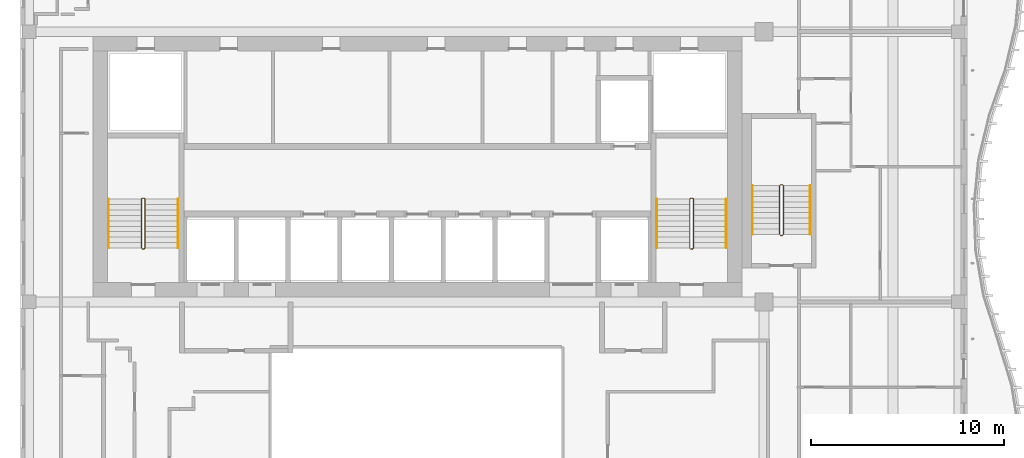
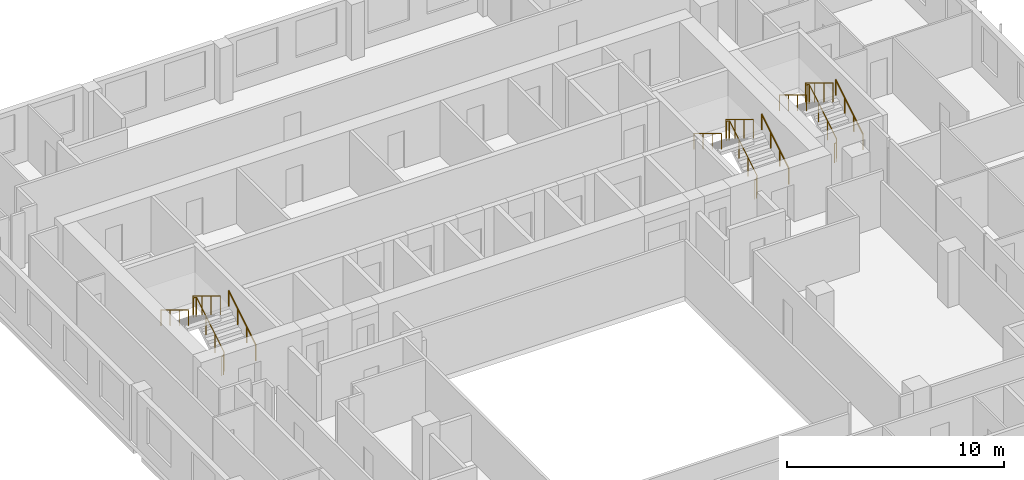
# One storey, part 18 of 19: 9 railings.
"""IFC4 building model written with IfcOpenShell, lengths in metres."""

import ifcopenshell
import ifcopenshell.guid

model = None  # the IFC model being written
_history = None  # IfcOwnerHistory: only IFC2X3 demands one
_inside = {}  # id of a spatial element -> (the spatial element, [elements in it])
_under = {}  # id of a project, library or spatial element -> (it, [spatial elements below it])
_declared = {}  # id of a project -> (the project, [libraries it declares])
_typed = {}  # id of a type object -> (the type object, [elements of that type])
_made_of = {}  # id of a material, layer set ... -> (it, [elements and type objects made of it])


def new_model(schema):
    """Start an empty IFC model of exactly this schema.

    Asked for "IFC4X3", IfcOpenShell would pick the latest addendum, in which some entities
    have other attributes; the version numbers below select the first issue.
    IFC2X3 requires an IfcOwnerHistory on every rooted entity: one is made here for all.
    """
    global model, _history
    if schema == "IFC4X3":
        model = ifcopenshell.file(schema_version=(4, 3, 0, 0))
    else:
        model = ifcopenshell.file(schema=schema)
    _inside.clear()
    _under.clear()
    _declared.clear()
    _typed.clear()
    _made_of.clear()
    _history = None
    if model.schema == "IFC2X3":
        org = make("IfcOrganization", Name="unknown")
        user = make(
            "IfcPersonAndOrganization",
            ThePerson=make("IfcPerson", FamilyName="unknown"),
            TheOrganization=org,
        )
        app = make(
            "IfcApplication",
            ApplicationDeveloper=org,
            Version="unknown",
            ApplicationFullName="unknown",
            ApplicationIdentifier="unknown",
        )
        _history = make(
            "IfcOwnerHistory",
            OwningUser=user,
            OwningApplication=app,
            ChangeAction="ADDED",
            CreationDate=0,
        )
    return model


def make(cls, **values):
    """One entity of the class cls with the attributes given. An attribute that is None is left unset."""
    return model.create_entity(
        cls, **{name: value for name, value in values.items() if value is not None}
    )


def rooted(cls, **values):
    """An entity with a GlobalId (a new one), such as an element, a storey or a relation."""
    return make(cls, GlobalId=ifcopenshell.guid.new(), OwnerHistory=_history, **values)


def si_unit(unit_type, name, prefix=None):
    """IfcSIUnit, for example si_unit("LENGTHUNIT", "METRE", prefix="MILLI")."""
    return make("IfcSIUnit", UnitType=unit_type, Prefix=prefix, Name=name)


def assignment(units):
    """IfcUnitAssignment: the units of a project."""
    return None if units is None else make("IfcUnitAssignment", Units=units)


def point(xyz):
    """IfcCartesianPoint."""
    return None if xyz is None else make("IfcCartesianPoint", Coordinates=xyz)


def direction(xyz):
    """IfcDirection."""
    return None if xyz is None else make("IfcDirection", DirectionRatios=xyz)


def frame(location, z_axis=None, x_axis=None):
    """IfcAxis2Placement3D, a coordinate frame: its origin and axes. An axis left out is left unset."""
    return make(
        "IfcAxis2Placement3D",
        Location=point(location),
        Axis=direction(z_axis),
        RefDirection=direction(x_axis),
    )


def frame_2d(location, x_axis=None):
    """IfcAxis2Placement2D, a coordinate frame in the plane: its origin and x axis."""
    return make(
        "IfcAxis2Placement2D", Location=point(location), RefDirection=direction(x_axis)
    )


def origin():
    """The frame at (0, 0, 0) with its axes left unset."""
    return frame((0.0, 0.0, 0.0))


def origin_2d():
    """The frame at (0, 0) in the plane with its x axis left unset."""
    return frame_2d((0.0, 0.0))


def place(relative_to, where):
    """IfcLocalPlacement: puts the frame where relative to a parent placement (None: the world)."""
    return make(
        "IfcLocalPlacement", PlacementRelTo=relative_to, RelativePlacement=where
    )


def context(
    kind, dimensions, precision=None, world=None, true_north=None, identifier=None
):
    """IfcGeometricRepresentationContext, for example the 3D "Model" context."""
    return make(
        "IfcGeometricRepresentationContext",
        ContextIdentifier=identifier,
        ContextType=kind,
        CoordinateSpaceDimension=dimensions,
        Precision=precision,
        WorldCoordinateSystem=world,
        TrueNorth=true_north,
    )


def subcontext(parent, identifier, kind, view, scale=None):
    """IfcGeometricRepresentationSubContext, for example "Body" below "Model"."""
    return make(
        "IfcGeometricRepresentationSubContext",
        ContextIdentifier=identifier,
        ContextType=kind,
        ParentContext=parent,
        TargetScale=scale,
        TargetView=view,
    )


def project(units=None, contexts=None):
    """IfcProject with its units and contexts."""
    return rooted(
        "IfcProject",
        Name="project",
        RepresentationContexts=contexts,
        UnitsInContext=assignment(units),
    )


def spatial(cls, under=None, at=None, **own):
    """A site, building, storey or space (cls), placed at a placement, below another one or the project."""
    s = rooted(cls, ObjectPlacement=at, **own)
    if under is not None:
        _under.setdefault(under.id(), (under, []))[1].append(s)
    return s


def profile(cls, at=None, kind="AREA", **sizes):
    """A parametric profile (cls). Its sizes go by their IFC names, for example OverallWidth=200.0."""
    return make(cls, ProfileType=kind, Position=at, **sizes)


def circle(**sizes):
    """IfcCircleProfileDef."""
    return profile("IfcCircleProfileDef", **sizes)


def extrude(swept, where, along, depth):
    """IfcExtrudedAreaSolid: the profile swept, set in the frame where, extruded along a direction by depth."""
    return make(
        "IfcExtrudedAreaSolid",
        SweptArea=swept,
        Position=where,
        ExtrudedDirection=direction(along),
        Depth=depth,
    )


def shape(context_of_items, identifier, shape_type, items):
    """IfcShapeRepresentation: the items that make up one representation, for example the "Body"."""
    return make(
        "IfcShapeRepresentation",
        ContextOfItems=context_of_items,
        RepresentationIdentifier=identifier,
        RepresentationType=shape_type,
        Items=items,
    )


def material(Name=None, Category=None):
    """IfcMaterial."""
    return make("IfcMaterial", Name=Name, Category=Category)


def made_of(thing, what):
    """Note that an element or type object is made of a material, layer set ...; save() writes the relation."""
    if what is not None:
        _made_of.setdefault(what.id(), (what, []))[1].append(thing)
    return thing


def type_object(cls, material=None, **own):
    """A type object (cls), such as IfcWallType, which elements share."""
    return made_of(rooted(cls, **own), material)


def element(
    cls,
    number,
    at=None,
    inside=None,
    cuts=None,
    type_object=None,
    material=None,
    context=None,
    identifier="Body",
    shape_type=None,
    held_by="IfcProductDefinitionShape",
    body=None,
    shapes=None,
    **own,
):
    """One element of the class cls, such as IfcWall. Its Tag is "e" and its number.

    at: its placement. inside: the storey or other place that contains it. cuts: it is an
    opening in that element (IfcRelVoidsElement). A single representation is given by context,
    identifier, shape_type and body (its items); several are given by shapes. held_by: the class
    of the entity that holds the representations. save() writes the other relations.
    """
    e = rooted(cls, Tag="e%d" % number, ObjectPlacement=at, **own)
    if body is not None:
        shapes = [shape(context, identifier, shape_type, body)]
    if shapes is not None:
        e.Representation = make(held_by, Representations=shapes)
    if inside is not None:
        _inside.setdefault(inside.id(), (inside, []))[1].append(e)
    if cuts is not None:
        rooted(
            "IfcRelVoidsElement", RelatingBuildingElement=cuts, RelatedOpeningElement=e
        )
    if type_object is not None:
        _typed.setdefault(type_object.id(), (type_object, []))[1].append(e)
    return made_of(e, material)


def aggregate(whole, parts):
    """IfcRelAggregates: a whole, such as a stair, and the parts it consists of."""
    return rooted("IfcRelAggregates", RelatingObject=whole, RelatedObjects=parts)


def save(model, path):
    """Write the relations noted so far, then the file.

    IfcRelAggregates (storeys below a building ...), IfcRelContainedInSpatialStructure (elements
    in a storey), IfcRelDefinesByType, IfcRelAssociatesMaterial and IfcRelDeclares: one each for
    every whole, place, type object, material and project.
    """
    for whole, parts in _under.values():
        aggregate(whole, parts)
    for where, things in _inside.values():
        rooted(
            "IfcRelContainedInSpatialStructure",
            RelatedElements=things,
            RelatingStructure=where,
        )
    for kind, things in _typed.values():
        rooted("IfcRelDefinesByType", RelatedObjects=things, RelatingType=kind)
    for what, things in _made_of.values():
        rooted("IfcRelAssociatesMaterial", RelatedObjects=things, RelatingMaterial=what)
    for by, libraries in _declared.values():
        rooted("IfcRelDeclares", RelatingContext=by, RelatedDefinitions=libraries)
    model.write(path)


model = new_model("IFC4")

# Units and contexts
model_context = context("Model", 3, precision=1e-05, world=origin(), true_north=direction((0.0, 1.0)))
body_context = subcontext(model_context, "Body", "Model", "MODEL_VIEW")
ifc_project = project(units=[si_unit("LENGTHUNIT", "METRE"), si_unit("AREAUNIT", "SQUARE_METRE"), si_unit("VOLUMEUNIT", "CUBIC_METRE"), si_unit("PLANEANGLEUNIT", "RADIAN"), si_unit("MASSUNIT", "GRAM", prefix="KILO")], contexts=[model_context])

# Site, building, storey
site_placement = place(None, origin())
site = spatial("IfcSite", under=ifc_project, at=site_placement, CompositionType="ELEMENT")
building_placement = place(site_placement, origin())
building = spatial("IfcBuilding", under=site, at=building_placement, Name="Kilnfold Tower and Market Hall", CompositionType="ELEMENT")
storey_placement = place(building_placement, frame((0.0, 0.0, 242.39990234375)))
storey = spatial("IfcBuildingStorey", under=building, at=storey_placement, Name="L58", CompositionType="ELEMENT", Elevation=242.39990234375)

# Railings
ifc_material_1 = material(Name="Stainless steel 316", Category="steel")
railing_type_1 = type_object("IfcRailingType", Name="CORE STAIR GUARD 1100", PredefinedType="GUARDRAIL", material=ifc_material_1)
railing_1_placement = place(storey_placement, frame((-13.199951171875, 10.75, 0.0)))
element("IfcRailing", 1, at=railing_1_placement, inside=storey, type_object=railing_type_1, Name="L58 ST1 stair guard 1", PredefinedType="GUARDRAIL", context=body_context, shape_type="SweptSolid", body=[
    extrude(circle(Radius=0.02392578125, at=origin_2d()), frame((0.0, 0.0, 1.076171875), z_axis=(1.0, 0.0, 0.0), x_axis=(0.0, 1.0, 0.0)), (0.0, 0.0, 1.0), 0.099853515625),
    extrude(circle(Radius=0.02392578125, at=origin_2d()), frame((0.099853515625, 0.0, 1.076171875), z_axis=(0.271562723297, 0.271562723297, 0.923313259209), x_axis=(-0.707106781187, 0.707106781187, 0.0)), (0.0, 0.0, 1.0), 0.184326171875),
    extrude(circle(Radius=0.02392578125, at=origin_2d()), frame((0.14990234375, 0.050048828125, 1.24609375), z_axis=(0.0, 0.85478489116, 0.518982456201), x_axis=(-1.0, 0.0, 0.0)), (0.0, 0.0, 1.0), 2.9482421875),
    extrude(circle(Radius=0.02392578125, at=origin_2d()), frame((0.14990234375, 2.570068359375, 2.7763671875), z_axis=(-0.707106781187, 0.707106781187, 0.0), x_axis=(-0.707106781187, -0.707106781187, 0.0)), (0.0, 0.0, 1.0), 0.07080078125),
    extrude(circle(Radius=0.02392578125, at=origin_2d()), frame((0.099853515625, 2.6201171875, 2.7763671875), z_axis=(-1.0, 0.0, 0.0), x_axis=(0.0, -1.0, 0.0)), (0.0, 0.0, 1.0), 0.099853515625),
    extrude(circle(Radius=0.02392578125, at=origin_2d()), frame((0.0, 2.6201171875, 2.7763671875), z_axis=(-0.271895245746, -0.271895245746, 0.923117517265), x_axis=(0.707106781187, -0.707106781187, 0.0)), (0.0, 0.0, 1.0), 0.18408203125),
    extrude(circle(Radius=0.02392578125, at=origin_2d()), frame((-0.050048828125, 2.570068359375, 2.9462890625), z_axis=(0.0, -0.85478489116, 0.518982456201), x_axis=(1.0, 0.0, 0.0)), (0.0, 0.0, 1.0), 2.9482421875),
    extrude(circle(Radius=0.02099609375, at=origin_2d()), origin(), (0.0, 0.0, 1.0), 1.052001953125),
    extrude(circle(Radius=0.02099609375, at=origin_2d()), frame((0.099853515625, 0.0, 0.0)), (0.0, 0.0, 1.0), 1.052001953125),
    extrude(circle(Radius=0.02099609375, at=origin_2d()), frame((0.14990234375, 0.050048828125, 0.170166015625)), (0.0, 0.0, 1.0), 1.052001953125),
    extrude(circle(Radius=0.02099609375, at=origin_2d()), frame((0.14990234375, 0.89013671875, 0.68017578125)), (0.0, 0.0, 1.0), 1.052001953125),
    extrude(circle(Radius=0.02099609375, at=origin_2d()), frame((0.14990234375, 1.72998046875, 1.190185546875)), (0.0, 0.0, 1.0), 1.052001953125),
    extrude(circle(Radius=0.02099609375, at=origin_2d()), frame((0.14990234375, 2.570068359375, 1.7001953125)), (0.0, 0.0, 1.0), 1.052001953125),
    extrude(circle(Radius=0.02099609375, at=origin_2d()), frame((0.099853515625, 2.6201171875, 1.7001953125)), (0.0, 0.0, 1.0), 1.052001953125),
    extrude(circle(Radius=0.02099609375, at=origin_2d()), frame((0.0, 2.6201171875, 1.7001953125)), (0.0, 0.0, 1.0), 1.052001953125),
    extrude(circle(Radius=0.02099609375, at=origin_2d()), frame((-0.050048828125, 2.570068359375, 1.8701171875)), (0.0, 0.0, 1.0), 1.052001953125),
    extrude(circle(Radius=0.02099609375, at=origin_2d()), frame((-0.050048828125, 1.72998046875, 2.380126953125)), (0.0, 0.0, 1.0), 1.052001953125),
    extrude(circle(Radius=0.02099609375, at=origin_2d()), frame((-0.050048828125, 0.89013671875, 2.89013671875)), (0.0, 0.0, 1.0), 1.052001953125),
    extrude(circle(Radius=0.02099609375, at=origin_2d()), frame((-0.050048828125, 0.050048828125, 3.400146484375)), (0.0, 0.0, 1.0), 1.052001953125),
])
railing_2_placement = place(storey_placement, frame((15.199951171875, 10.75, 0.0)))
element("IfcRailing", 2, at=railing_2_placement, inside=storey, type_object=railing_type_1, Name="L58 ST2 stair guard 1", PredefinedType="GUARDRAIL", context=body_context, shape_type="SweptSolid", body=[
    extrude(circle(Radius=0.02392578125, at=origin_2d()), frame((0.0, 0.0, 1.076171875), z_axis=(1.0, 0.0, 0.0), x_axis=(0.0, 1.0, 0.0)), (0.0, 0.0, 1.0), 0.10009765625),
    extrude(circle(Radius=0.02392578125, at=origin_2d()), frame((0.10009765625, 0.0, 1.076171875), z_axis=(0.271562723297, 0.271562723297, 0.923313259209), x_axis=(-0.707106781187, 0.707106781187, 0.0)), (0.0, 0.0, 1.0), 0.184326171875),
    extrude(circle(Radius=0.02392578125, at=origin_2d()), frame((0.150146484375, 0.050048828125, 1.24609375), z_axis=(0.0, 0.85478489116, 0.518982456201), x_axis=(-1.0, 0.0, 0.0)), (0.0, 0.0, 1.0), 2.9482421875),
    extrude(circle(Radius=0.02392578125, at=origin_2d()), frame((0.150146484375, 2.570068359375, 2.7763671875), z_axis=(-0.707106781187, 0.707106781187, 0.0), x_axis=(-0.707106781187, -0.707106781187, 0.0)), (0.0, 0.0, 1.0), 0.07080078125),
    extrude(circle(Radius=0.02392578125, at=origin_2d()), frame((0.10009765625, 2.6201171875, 2.7763671875), z_axis=(-1.0, 0.0, 0.0), x_axis=(0.0, -1.0, 0.0)), (0.0, 0.0, 1.0), 0.10009765625),
    extrude(circle(Radius=0.02392578125, at=origin_2d()), frame((0.0, 2.6201171875, 2.7763671875), z_axis=(-0.271895245746, -0.271895245746, 0.923117517265), x_axis=(0.707106781187, -0.707106781187, 0.0)), (0.0, 0.0, 1.0), 0.18408203125),
    extrude(circle(Radius=0.02392578125, at=origin_2d()), frame((-0.050048828125, 2.570068359375, 2.9462890625), z_axis=(0.0, -0.85478489116, 0.518982456201), x_axis=(1.0, 0.0, 0.0)), (0.0, 0.0, 1.0), 2.9482421875),
    extrude(circle(Radius=0.02099609375, at=origin_2d()), origin(), (0.0, 0.0, 1.0), 1.052001953125),
    extrude(circle(Radius=0.02099609375, at=origin_2d()), frame((0.10009765625, 0.0, 0.0)), (0.0, 0.0, 1.0), 1.052001953125),
    extrude(circle(Radius=0.02099609375, at=origin_2d()), frame((0.150146484375, 0.050048828125, 0.170166015625)), (0.0, 0.0, 1.0), 1.052001953125),
    extrude(circle(Radius=0.02099609375, at=origin_2d()), frame((0.150146484375, 0.89013671875, 0.68017578125)), (0.0, 0.0, 1.0), 1.052001953125),
    extrude(circle(Radius=0.02099609375, at=origin_2d()), frame((0.150146484375, 1.72998046875, 1.190185546875)), (0.0, 0.0, 1.0), 1.052001953125),
    extrude(circle(Radius=0.02099609375, at=origin_2d()), frame((0.150146484375, 2.570068359375, 1.7001953125)), (0.0, 0.0, 1.0), 1.052001953125),
    extrude(circle(Radius=0.02099609375, at=origin_2d()), frame((0.10009765625, 2.6201171875, 1.7001953125)), (0.0, 0.0, 1.0), 1.052001953125),
    extrude(circle(Radius=0.02099609375, at=origin_2d()), frame((0.0, 2.6201171875, 1.7001953125)), (0.0, 0.0, 1.0), 1.052001953125),
    extrude(circle(Radius=0.02099609375, at=origin_2d()), frame((-0.050048828125, 2.570068359375, 1.8701171875)), (0.0, 0.0, 1.0), 1.052001953125),
    extrude(circle(Radius=0.02099609375, at=origin_2d()), frame((-0.050048828125, 1.72998046875, 2.380126953125)), (0.0, 0.0, 1.0), 1.052001953125),
    extrude(circle(Radius=0.02099609375, at=origin_2d()), frame((-0.050048828125, 0.89013671875, 2.89013671875)), (0.0, 0.0, 1.0), 1.052001953125),
    extrude(circle(Radius=0.02099609375, at=origin_2d()), frame((-0.050048828125, 0.050048828125, 3.400146484375)), (0.0, 0.0, 1.0), 1.052001953125),
])
railing_3_placement = place(storey_placement, frame((19.85009765625, 11.449951171875, 0.0)))
element("IfcRailing", 3, at=railing_3_placement, inside=storey, type_object=railing_type_1, Name="L58 ST5 stair guard 1", PredefinedType="GUARDRAIL", context=body_context, shape_type="SweptSolid", body=[
    extrude(circle(Radius=0.02392578125, at=origin_2d()), frame((0.0, 0.0, 1.076171875), z_axis=(1.0, 0.0, 0.0), x_axis=(0.0, 1.0, 0.0)), (0.0, 0.0, 1.0), 0.099853515625),
    extrude(circle(Radius=0.02392578125, at=origin_2d()), frame((0.099853515625, 0.0, 1.076171875), z_axis=(0.271562723297, 0.271562723297, 0.923313259209), x_axis=(-0.707106781187, 0.707106781187, 0.0)), (0.0, 0.0, 1.0), 0.184326171875),
    extrude(circle(Radius=0.02392578125, at=origin_2d()), frame((0.14990234375, 0.050048828125, 1.24609375), z_axis=(0.0, 0.85478489116, 0.518982456201), x_axis=(-1.0, 0.0, 0.0)), (0.0, 0.0, 1.0), 2.9482421875),
    extrude(circle(Radius=0.02392578125, at=origin_2d()), frame((0.14990234375, 2.570068359375, 2.7763671875), z_axis=(-0.707106781187, 0.707106781187, 0.0), x_axis=(-0.707106781187, -0.707106781187, 0.0)), (0.0, 0.0, 1.0), 0.07080078125),
    extrude(circle(Radius=0.02392578125, at=origin_2d()), frame((0.099853515625, 2.6201171875, 2.7763671875), z_axis=(-1.0, 0.0, 0.0), x_axis=(0.0, -1.0, 0.0)), (0.0, 0.0, 1.0), 0.099853515625),
    extrude(circle(Radius=0.02392578125, at=origin_2d()), frame((0.0, 2.6201171875, 2.7763671875), z_axis=(-0.271895245746, -0.271895245746, 0.923117517265), x_axis=(0.707106781187, -0.707106781187, 0.0)), (0.0, 0.0, 1.0), 0.18408203125),
    extrude(circle(Radius=0.02392578125, at=origin_2d()), frame((-0.050048828125, 2.570068359375, 2.9462890625), z_axis=(0.0, -0.85478489116, 0.518982456201), x_axis=(1.0, 0.0, 0.0)), (0.0, 0.0, 1.0), 2.9482421875),
    extrude(circle(Radius=0.02099609375, at=origin_2d()), origin(), (0.0, 0.0, 1.0), 1.052001953125),
    extrude(circle(Radius=0.02099609375, at=origin_2d()), frame((0.099853515625, 0.0, 0.0)), (0.0, 0.0, 1.0), 1.052001953125),
    extrude(circle(Radius=0.02099609375, at=origin_2d()), frame((0.14990234375, 0.050048828125, 0.170166015625)), (0.0, 0.0, 1.0), 1.052001953125),
    extrude(circle(Radius=0.02099609375, at=origin_2d()), frame((0.14990234375, 0.89013671875, 0.68017578125)), (0.0, 0.0, 1.0), 1.052001953125),
    extrude(circle(Radius=0.02099609375, at=origin_2d()), frame((0.14990234375, 1.72998046875, 1.190185546875)), (0.0, 0.0, 1.0), 1.052001953125),
    extrude(circle(Radius=0.02099609375, at=origin_2d()), frame((0.14990234375, 2.570068359375, 1.7001953125)), (0.0, 0.0, 1.0), 1.052001953125),
    extrude(circle(Radius=0.02099609375, at=origin_2d()), frame((0.099853515625, 2.6201171875, 1.7001953125)), (0.0, 0.0, 1.0), 1.052001953125),
    extrude(circle(Radius=0.02099609375, at=origin_2d()), frame((0.0, 2.6201171875, 1.7001953125)), (0.0, 0.0, 1.0), 1.052001953125),
    extrude(circle(Radius=0.02099609375, at=origin_2d()), frame((-0.050048828125, 2.570068359375, 1.8701171875)), (0.0, 0.0, 1.0), 1.052001953125),
    extrude(circle(Radius=0.02099609375, at=origin_2d()), frame((-0.050048828125, 1.72998046875, 2.380126953125)), (0.0, 0.0, 1.0), 1.052001953125),
    extrude(circle(Radius=0.02099609375, at=origin_2d()), frame((-0.050048828125, 0.89013671875, 2.89013671875)), (0.0, 0.0, 1.0), 1.052001953125),
    extrude(circle(Radius=0.02099609375, at=origin_2d()), frame((-0.050048828125, 0.050048828125, 3.400146484375)), (0.0, 0.0, 1.0), 1.052001953125),
])
ifc_material_2 = material(Name="Stainless steel 316", Category="steel")
railing_type_2 = type_object("IfcRailingType", Name="CORE STAIR HANDRAIL 900", PredefinedType="HANDRAIL", material=ifc_material_2)
railing_4_placement = place(storey_placement, frame((-11.35009765625, 10.800048828125, 0.170166015625)))
element("IfcRailing", 4, at=railing_4_placement, inside=storey, type_object=railing_type_2, Name="L58 ST1 stair handrail 1", PredefinedType="HANDRAIL", context=body_context, shape_type="SweptSolid", body=[
    extrude(circle(Radius=0.02392578125, at=origin_2d()), frame((0.0, 0.0, 0.8759765625), z_axis=(0.0, 0.85478489116, 0.518982456201), x_axis=(-1.0, 0.0, 0.0)), (0.0, 0.0, 1.0), 2.9482421875),
    extrude(circle(Radius=0.02099609375, at=origin_2d()), origin(), (0.0, 0.0, 1.0), 0.851806640625),
    extrude(circle(Radius=0.02099609375, at=origin_2d()), frame((0.0, 0.840087890625, 0.510009765625)), (0.0, 0.0, 1.0), 0.851806640625),
    extrude(circle(Radius=0.02099609375, at=origin_2d()), frame((0.0, 1.679931640625, 1.02001953125)), (0.0, 0.0, 1.0), 0.851806640625),
    extrude(circle(Radius=0.02099609375, at=origin_2d()), frame((0.0, 2.52001953125, 1.530029296875)), (0.0, 0.0, 1.0), 0.851806640625),
])
railing_5_placement = place(storey_placement, frame((-14.949951171875, 13.320068359375, 1.8701171875)))
element("IfcRailing", 5, at=railing_5_placement, inside=storey, type_object=railing_type_2, Name="L58 ST1 stair handrail 2", PredefinedType="HANDRAIL", context=body_context, shape_type="SweptSolid", body=[
    extrude(circle(Radius=0.02392578125, at=origin_2d()), frame((0.0, 0.0, 0.8759765625), z_axis=(0.0, -0.85478489116, 0.518982456201), x_axis=(1.0, 0.0, 0.0)), (0.0, 0.0, 1.0), 2.9482421875),
    extrude(circle(Radius=0.02099609375, at=origin_2d()), origin(), (0.0, 0.0, 1.0), 0.851806640625),
    extrude(circle(Radius=0.02099609375, at=origin_2d()), frame((0.0, -0.840087890625, 0.510009765625)), (0.0, 0.0, 1.0), 0.851806640625),
    extrude(circle(Radius=0.02099609375, at=origin_2d()), frame((0.0, -1.679931640625, 1.02001953125)), (0.0, 0.0, 1.0), 0.851806640625),
    extrude(circle(Radius=0.02099609375, at=origin_2d()), frame((0.0, -2.52001953125, 1.530029296875)), (0.0, 0.0, 1.0), 0.851806640625),
])
railing_6_placement = place(storey_placement, frame((17.050048828125, 10.800048828125, 0.170166015625)))
element("IfcRailing", 6, at=railing_6_placement, inside=storey, type_object=railing_type_2, Name="L58 ST2 stair handrail 1", PredefinedType="HANDRAIL", context=body_context, shape_type="SweptSolid", body=[
    extrude(circle(Radius=0.02392578125, at=origin_2d()), frame((0.0, 0.0, 0.8759765625), z_axis=(0.0, 0.85478489116, 0.518982456201), x_axis=(-1.0, 0.0, 0.0)), (0.0, 0.0, 1.0), 2.9482421875),
    extrude(circle(Radius=0.02099609375, at=origin_2d()), origin(), (0.0, 0.0, 1.0), 0.851806640625),
    extrude(circle(Radius=0.02099609375, at=origin_2d()), frame((0.0, 0.840087890625, 0.510009765625)), (0.0, 0.0, 1.0), 0.851806640625),
    extrude(circle(Radius=0.02099609375, at=origin_2d()), frame((0.0, 1.679931640625, 1.02001953125)), (0.0, 0.0, 1.0), 0.851806640625),
    extrude(circle(Radius=0.02099609375, at=origin_2d()), frame((0.0, 2.52001953125, 1.530029296875)), (0.0, 0.0, 1.0), 0.851806640625),
])
railing_7_placement = place(storey_placement, frame((13.449951171875, 13.320068359375, 1.8701171875)))
element("IfcRailing", 7, at=railing_7_placement, inside=storey, type_object=railing_type_2, Name="L58 ST2 stair handrail 2", PredefinedType="HANDRAIL", context=body_context, shape_type="SweptSolid", body=[
    extrude(circle(Radius=0.02392578125, at=origin_2d()), frame((0.0, 0.0, 0.8759765625), z_axis=(0.0, -0.85478489116, 0.518982456201), x_axis=(1.0, 0.0, 0.0)), (0.0, 0.0, 1.0), 2.9482421875),
    extrude(circle(Radius=0.02099609375, at=origin_2d()), origin(), (0.0, 0.0, 1.0), 0.851806640625),
    extrude(circle(Radius=0.02099609375, at=origin_2d()), frame((0.0, -0.840087890625, 0.510009765625)), (0.0, 0.0, 1.0), 0.851806640625),
    extrude(circle(Radius=0.02099609375, at=origin_2d()), frame((0.0, -1.679931640625, 1.02001953125)), (0.0, 0.0, 1.0), 0.851806640625),
    extrude(circle(Radius=0.02099609375, at=origin_2d()), frame((0.0, -2.52001953125, 1.530029296875)), (0.0, 0.0, 1.0), 0.851806640625),
])
railing_8_placement = place(storey_placement, frame((21.39990234375, 11.5, 0.170166015625)))
element("IfcRailing", 8, at=railing_8_placement, inside=storey, type_object=railing_type_2, Name="L58 ST5 stair handrail 1", PredefinedType="HANDRAIL", context=body_context, shape_type="SweptSolid", body=[
    extrude(circle(Radius=0.02392578125, at=origin_2d()), frame((0.0, 0.0, 0.8759765625), z_axis=(0.0, 0.85478489116, 0.518982456201), x_axis=(-1.0, 0.0, 0.0)), (0.0, 0.0, 1.0), 2.9482421875),
    extrude(circle(Radius=0.02099609375, at=origin_2d()), origin(), (0.0, 0.0, 1.0), 0.851806640625),
    extrude(circle(Radius=0.02099609375, at=origin_2d()), frame((0.0, 0.840087890625, 0.510009765625)), (0.0, 0.0, 1.0), 0.851806640625),
    extrude(circle(Radius=0.02099609375, at=origin_2d()), frame((0.0, 1.679931640625, 1.02001953125)), (0.0, 0.0, 1.0), 0.851806640625),
    extrude(circle(Radius=0.02099609375, at=origin_2d()), frame((0.0, 2.52001953125, 1.530029296875)), (0.0, 0.0, 1.0), 0.851806640625),
])
railing_9_placement = place(storey_placement, frame((18.39990234375, 14.02001953125, 1.8701171875)))
element("IfcRailing", 9, at=railing_9_placement, inside=storey, type_object=railing_type_2, Name="L58 ST5 stair handrail 2", PredefinedType="HANDRAIL", context=body_context, shape_type="SweptSolid", body=[
    extrude(circle(Radius=0.02392578125, at=origin_2d()), frame((0.0, 0.0, 0.8759765625), z_axis=(0.0, -0.85478489116, 0.518982456201), x_axis=(1.0, 0.0, 0.0)), (0.0, 0.0, 1.0), 2.9482421875),
    extrude(circle(Radius=0.02099609375, at=origin_2d()), origin(), (0.0, 0.0, 1.0), 0.851806640625),
    extrude(circle(Radius=0.02099609375, at=origin_2d()), frame((0.0, -0.840087890625, 0.510009765625)), (0.0, 0.0, 1.0), 0.851806640625),
    extrude(circle(Radius=0.02099609375, at=origin_2d()), frame((0.0, -1.679931640625, 1.02001953125)), (0.0, 0.0, 1.0), 0.851806640625),
    extrude(circle(Radius=0.02099609375, at=origin_2d()), frame((0.0, -2.52001953125, 1.530029296875)), (0.0, 0.0, 1.0), 0.851806640625),
])

save(model, "model.ifc")
